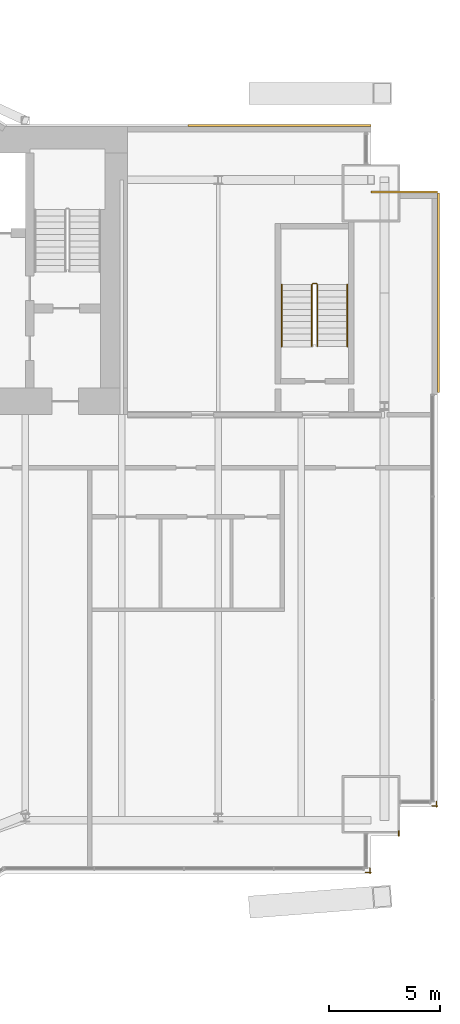
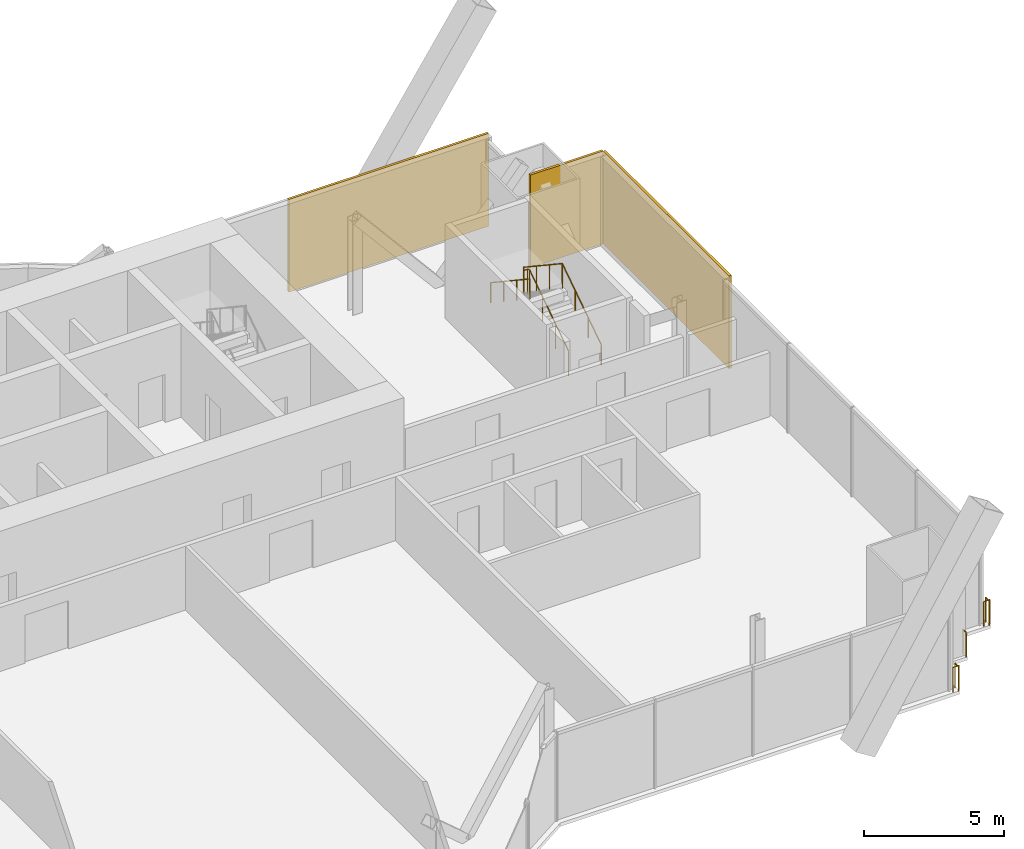
# One storey, part 21 of 21: 6 railings, 3 coverings.
"""IFC4 building model written with IfcOpenShell, lengths in metres."""

from ifc_helpers import new_model, si_unit, direction, frame, origin, origin_2d, place, context, subcontext, project, spatial, rectangle, circle, extrude, material, layer, layer_set, type_object, element, save


model = new_model("IFC4")

# Units and contexts
model_context = context("Model", 3, precision=1e-05, world=origin(), true_north=direction((0.0, 1.0)))
body_context = subcontext(model_context, "Body", "Model", "MODEL_VIEW")
ifc_project = project(units=[si_unit("LENGTHUNIT", "METRE"), si_unit("AREAUNIT", "SQUARE_METRE"), si_unit("VOLUMEUNIT", "CUBIC_METRE"), si_unit("PLANEANGLEUNIT", "RADIAN"), si_unit("MASSUNIT", "GRAM", prefix="KILO")], contexts=[model_context])

# Site, building, storey
site_placement = place(None, origin())
site = spatial("IfcSite", under=ifc_project, at=site_placement, CompositionType="ELEMENT")
building_placement = place(site_placement, origin())
building = spatial("IfcBuilding", under=site, at=building_placement, Name="Bicima Exchange Tower", CompositionType="ELEMENT")
storey_placement = place(building_placement, frame((0.0, 0.0, 181.39990234375)))
storey = spatial("IfcBuildingStorey", under=building, at=storey_placement, Name="L40", CompositionType="ELEMENT", Elevation=181.39990234375)

# Coverings
ifc_material_1 = material(Name="Bronze metal cladding")
ifc_layer_1 = layer(ifc_material_1, 0.004)
ifc_material_2 = material(Name="Ventilated cavity")
ifc_layer_2 = layer(ifc_material_2, 0.06)
ifc_material_3 = material(Name="Galvanised steel rail and mineral wool", Category="steel")
ifc_layer_3 = layer(ifc_material_3, 0.036)
ifc_layer_set = layer_set([ifc_layer_1, ifc_layer_2, ifc_layer_3], Name="Ventilated cavity")
covering_type = type_object("IfcCoveringType", Name="Bronze metal cladding panel 100", PredefinedType="CLADDING", material=ifc_layer_set)
covering_1_placement = place(storey_placement, frame((28.875, 0.050048828125, -0.14990234375), z_axis=(0.0, 0.0, 1.0), x_axis=(-1.0, 0.0, 0.0)))
element("IfcCovering", 1, at=covering_1_placement, inside=storey, type_object=covering_type, Name="Bronze cladding L40 1.1", PredefinedType="CLADDING", context=body_context, shape_type="SweptSolid", body=[
    extrude(rectangle(XDim=8.25, YDim=0.10009765625, at=origin_2d()), origin(), (0.0, 0.0, 1.0), 4.050048828125),
])
covering_2_placement = place(storey_placement, frame((36.050048828125, -7.5, -0.14990234375), z_axis=(0.0, 0.0, 1.0), x_axis=(0.0, 1.0, 0.0)))
element("IfcCovering", 2, at=covering_2_placement, inside=storey, type_object=covering_type, Name="Bronze cladding L40 50.1", PredefinedType="CLADDING", context=body_context, shape_type="SweptSolid", body=[
    extrude(rectangle(XDim=9.0, YDim=0.10009765625, at=origin_2d()), origin(), (0.0, 0.0, 1.0), 4.050048828125),
])
covering_3_placement = place(storey_placement, frame((34.5, -2.949951171875, -0.14990234375), z_axis=(0.0, 0.0, 1.0), x_axis=(-1.0, 0.0, 0.0)))
element("IfcCovering", 3, at=covering_3_placement, inside=storey, type_object=covering_type, Name="Bronze cladding L40 51.1", PredefinedType="CLADDING", context=body_context, shape_type="SweptSolid", body=[
    extrude(rectangle(XDim=3.0, YDim=0.10009765625, at=origin_2d()), origin(), (0.0, 0.0, 1.0), 4.050048828125),
])

# Railings
ifc_material_4 = material(Name="Stainless steel and bonded safety glass", Category="steel")
railing_type_1 = type_object("IfcRailingType", Name="Edge guard 1100", PredefinedType="GUARDRAIL", material=ifc_material_4)
railing_1_placement = place(storey_placement, frame((35.949951171875, -30.4541015625, 0.0)))
element("IfcRailing", 4, at=railing_1_placement, inside=storey, type_object=railing_type_1, Name="Edge guard L40 204", PredefinedType="GUARDRAIL", context=body_context, shape_type="SweptSolid", body=[
    extrude(circle(Radius=0.02392578125, at=origin_2d()), frame((0.0, 0.0, 1.076171875), z_axis=(0.0, -1.0, 0.0), x_axis=(1.0, 0.0, 0.0)), (0.0, 0.0, 1.0), 0.25),
    extrude(circle(Radius=0.02392578125, at=origin_2d()), frame((0.0, -0.25, 1.076171875), z_axis=(0.707106781187, 0.707106781187, 0.0), x_axis=(-0.707106781187, 0.707106781187, 0.0)), (0.0, 0.0, 1.0), 0.07080078125),
    extrude(circle(Radius=0.02392578125, at=origin_2d()), frame((0.050048828125, -0.199951171875, 1.076171875), z_axis=(-1.0, 0.0, 0.0), x_axis=(0.0, -1.0, 0.0)), (0.0, 0.0, 1.0), 0.242919921875),
    extrude(circle(Radius=0.02099609375, at=origin_2d()), origin(), (0.0, 0.0, 1.0), 1.052001953125),
    extrude(circle(Radius=0.02099609375, at=origin_2d()), frame((0.0, -0.25, 0.0)), (0.0, 0.0, 1.0), 1.052001953125),
    extrude(circle(Radius=0.02099609375, at=origin_2d()), frame((0.050048828125, -0.199951171875, 0.0)), (0.0, 0.0, 1.0), 1.052001953125),
    extrude(circle(Radius=0.02099609375, at=origin_2d()), frame((-0.19287109375, -0.199951171875, 0.0)), (0.0, 0.0, 1.0), 1.052001953125),
])
railing_2_placement = place(storey_placement, frame((34.25, -31.787109375, 0.0)))
element("IfcRailing", 5, at=railing_2_placement, inside=storey, type_object=railing_type_1, Name="Edge guard L40 205", PredefinedType="GUARDRAIL", context=body_context, shape_type="SweptSolid", body=[
    extrude(circle(Radius=0.02392578125, at=origin_2d()), frame((0.0, 0.0, 1.076171875), z_axis=(0.0, -1.0, 0.0), x_axis=(1.0, 0.0, 0.0)), (0.0, 0.0, 1.0), 0.216796875),
    extrude(circle(Radius=0.02099609375, at=origin_2d()), origin(), (0.0, 0.0, 1.0), 1.052001953125),
    extrude(circle(Radius=0.02099609375, at=origin_2d()), frame((0.0, -0.216796875, 0.0)), (0.0, 0.0, 1.0), 1.052001953125),
])
railing_3_placement = place(storey_placement, frame((32.949951171875, -33.4609375, 0.0)))
element("IfcRailing", 6, at=railing_3_placement, inside=storey, type_object=railing_type_1, Name="Edge guard L40 206", PredefinedType="GUARDRAIL", context=body_context, shape_type="SweptSolid", body=[
    extrude(circle(Radius=0.02392578125, at=origin_2d()), frame((0.0, 0.0, 1.076171875), z_axis=(0.0, -1.0, 0.0), x_axis=(1.0, 0.0, 0.0)), (0.0, 0.0, 1.0), 0.2431640625),
    extrude(circle(Radius=0.02392578125, at=origin_2d()), frame((0.0, -0.2431640625, 1.076171875), z_axis=(0.707106781187, 0.707106781187, 0.0), x_axis=(-0.707106781187, 0.707106781187, 0.0)), (0.0, 0.0, 1.0), 0.07080078125),
    extrude(circle(Radius=0.02392578125, at=origin_2d()), frame((0.050048828125, -0.193115234375, 1.076171875), z_axis=(-1.0, 0.0, 0.0), x_axis=(0.0, -1.0, 0.0)), (0.0, 0.0, 1.0), 0.25),
    extrude(circle(Radius=0.02099609375, at=origin_2d()), origin(), (0.0, 0.0, 1.0), 1.052001953125),
    extrude(circle(Radius=0.02099609375, at=origin_2d()), frame((0.0, -0.2431640625, 0.0)), (0.0, 0.0, 1.0), 1.052001953125),
    extrude(circle(Radius=0.02099609375, at=origin_2d()), frame((0.050048828125, -0.193115234375, 0.0)), (0.0, 0.0, 1.0), 1.052001953125),
    extrude(circle(Radius=0.02099609375, at=origin_2d()), frame((-0.199951171875, -0.193115234375, 0.0)), (0.0, 0.0, 1.0), 1.052001953125),
])
ifc_material_5 = material(Name="Stainless steel", Category="steel")
railing_type_2 = type_object("IfcRailingType", Name="Stair guard 1100", PredefinedType="GUARDRAIL", material=ifc_material_5)
railing_4_placement = place(storey_placement, frame((30.574951171875, -9.925048828125, 0.1865234375)))
element("IfcRailing", 7, at=railing_4_placement, inside=storey, type_object=railing_type_2, Name="L40 ST-EE stair guard 1", PredefinedType="GUARDRAIL", context=body_context, shape_type="SweptSolid", body=[
    extrude(circle(Radius=0.02392578125, at=origin_2d()), frame((0.0, 0.0, 1.076171875), z_axis=(0.0, 0.832485552168, 0.554046753832), x_axis=(-1.0, 0.0, 0.0)), (0.0, 0.0, 1.0), 3.363525390625),
    extrude(circle(Radius=0.02392578125, at=origin_2d()), frame((0.0, 2.800048828125, 2.939453125), z_axis=(-0.707106781187, 0.707106781187, 0.0), x_axis=(-0.707106781187, -0.707106781187, 0.0)), (0.0, 0.0, 1.0), 0.07080078125),
    extrude(circle(Radius=0.02392578125, at=origin_2d()), frame((-0.050048828125, 2.85009765625, 2.939453125), z_axis=(-1.0, 0.0, 0.0), x_axis=(0.0, -1.0, 0.0)), (0.0, 0.0, 1.0), 0.14990234375),
    extrude(circle(Radius=0.02392578125, at=origin_2d()), frame((-0.199951171875, 2.85009765625, 2.939453125), z_axis=(-0.250869701741, -0.250869701741, 0.934948546978), x_axis=(0.707106781187, -0.707106781187, 0.0)), (0.0, 0.0, 1.0), 0.199462890625),
    extrude(circle(Radius=0.02392578125, at=origin_2d()), frame((-0.25, 2.800048828125, 3.1259765625), z_axis=(0.0, -0.832485552168, 0.554046753832), x_axis=(1.0, 0.0, 0.0)), (0.0, 0.0, 1.0), 3.363525390625),
    extrude(circle(Radius=0.02099609375, at=origin_2d()), origin(), (0.0, 0.0, 1.0), 1.052001953125),
    extrude(circle(Radius=0.02099609375, at=origin_2d()), frame((0.0, 0.933349609375, 0.62109375)), (0.0, 0.0, 1.0), 1.052001953125),
    extrude(circle(Radius=0.02099609375, at=origin_2d()), frame((0.0, 1.86669921875, 1.242431640625)), (0.0, 0.0, 1.0), 1.052001953125),
    extrude(circle(Radius=0.02099609375, at=origin_2d()), frame((0.0, 2.800048828125, 1.863525390625)), (0.0, 0.0, 1.0), 1.052001953125),
    extrude(circle(Radius=0.02099609375, at=origin_2d()), frame((-0.050048828125, 2.85009765625, 1.863525390625)), (0.0, 0.0, 1.0), 1.052001953125),
    extrude(circle(Radius=0.02099609375, at=origin_2d()), frame((-0.199951171875, 2.85009765625, 1.863525390625)), (0.0, 0.0, 1.0), 1.052001953125),
    extrude(circle(Radius=0.02099609375, at=origin_2d()), frame((-0.25, 2.800048828125, 2.050048828125)), (0.0, 0.0, 1.0), 1.052001953125),
    extrude(circle(Radius=0.02099609375, at=origin_2d()), frame((-0.25, 1.86669921875, 2.671142578125)), (0.0, 0.0, 1.0), 1.052001953125),
    extrude(circle(Radius=0.02099609375, at=origin_2d()), frame((-0.25, 0.933349609375, 3.29248046875)), (0.0, 0.0, 1.0), 1.052001953125),
    extrude(circle(Radius=0.02099609375, at=origin_2d()), frame((-0.25, 0.0, 3.91357421875)), (0.0, 0.0, 1.0), 1.052001953125),
])
railing_type_3 = type_object("IfcRailingType", Name="Stair handrail 900", PredefinedType="HANDRAIL", material=ifc_material_5)
railing_5_placement = place(storey_placement, frame((31.925048828125, -9.925048828125, 0.1865234375)))
element("IfcRailing", 8, at=railing_5_placement, inside=storey, type_object=railing_type_3, Name="L40 ST-EE stair handrail 1", PredefinedType="HANDRAIL", context=body_context, shape_type="SweptSolid", body=[
    extrude(circle(Radius=0.02392578125, at=origin_2d()), frame((0.0, 0.0, 0.8759765625), z_axis=(0.0, 0.832485552168, 0.554046753832), x_axis=(-1.0, 0.0, 0.0)), (0.0, 0.0, 1.0), 3.363525390625),
    extrude(circle(Radius=0.02099609375, at=origin_2d()), origin(), (0.0, 0.0, 1.0), 0.851806640625),
    extrude(circle(Radius=0.02099609375, at=origin_2d()), frame((0.0, 0.933349609375, 0.62109375)), (0.0, 0.0, 1.0), 0.851806640625),
    extrude(circle(Radius=0.02099609375, at=origin_2d()), frame((0.0, 1.86669921875, 1.242431640625)), (0.0, 0.0, 1.0), 0.851806640625),
    extrude(circle(Radius=0.02099609375, at=origin_2d()), frame((0.0, 2.800048828125, 1.863525390625)), (0.0, 0.0, 1.0), 0.851806640625),
])
railing_6_placement = place(storey_placement, frame((28.97509765625, -7.125, 2.236572265625)))
element("IfcRailing", 9, at=railing_6_placement, inside=storey, type_object=railing_type_3, Name="L40 ST-EE stair handrail 2", PredefinedType="HANDRAIL", context=body_context, shape_type="SweptSolid", body=[
    extrude(circle(Radius=0.02392578125, at=origin_2d()), frame((0.0, 0.0, 0.8759765625), z_axis=(0.0, -0.832485552168, 0.554046753832), x_axis=(1.0, 0.0, 0.0)), (0.0, 0.0, 1.0), 3.363525390625),
    extrude(circle(Radius=0.02099609375, at=origin_2d()), origin(), (0.0, 0.0, 1.0), 0.851806640625),
    extrude(circle(Radius=0.02099609375, at=origin_2d()), frame((0.0, -0.933349609375, 0.62109375)), (0.0, 0.0, 1.0), 0.851806640625),
    extrude(circle(Radius=0.02099609375, at=origin_2d()), frame((0.0, -1.86669921875, 1.242431640625)), (0.0, 0.0, 1.0), 0.851806640625),
    extrude(circle(Radius=0.02099609375, at=origin_2d()), frame((0.0, -2.800048828125, 1.863525390625)), (0.0, 0.0, 1.0), 0.851806640625),
])

save(model, "model.ifc")
